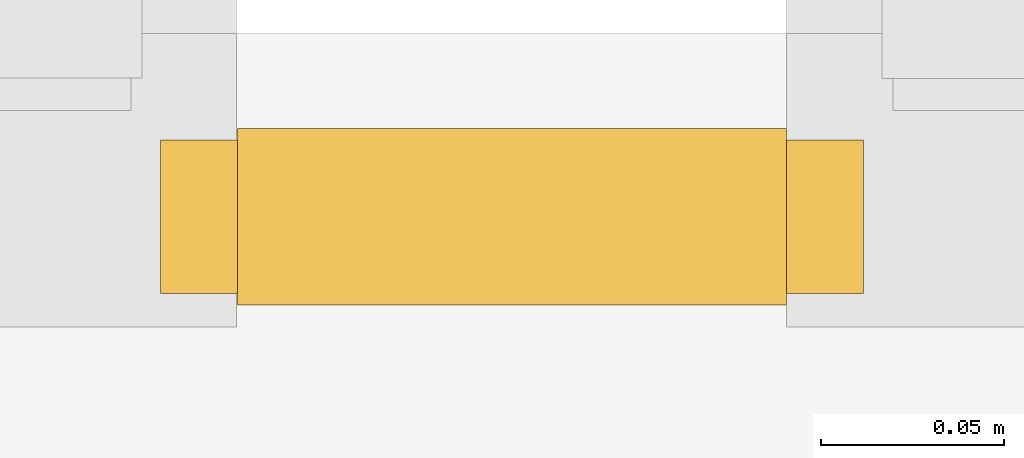
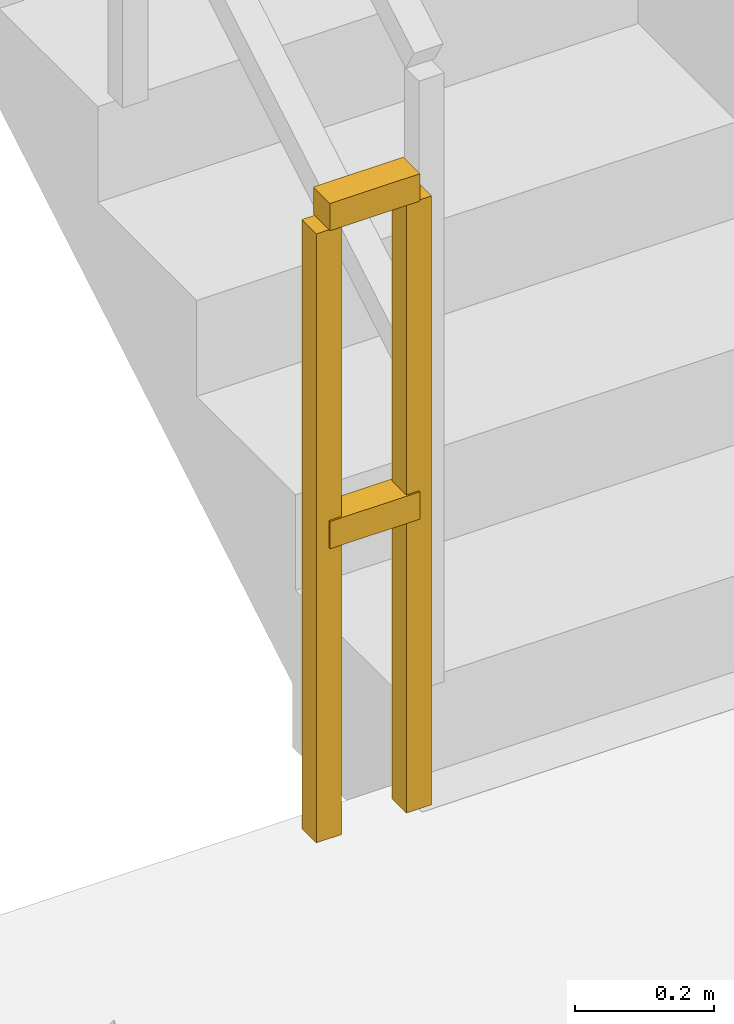
# One storey, part 20 of 23: 1 railing.
"""IFC4 building model written with IfcOpenShell, lengths in metres."""

from ifc_helpers import new_model, si_unit, direction, frame, origin, origin_2d, place, context, subcontext, project, spatial, rectangle, extrude, material, type_object, element, save


model = new_model("IFC4")

# Units and contexts
model_context = context("Model", 3, precision=1e-05, world=origin(), true_north=direction((0.0, 1.0)))
body_context = subcontext(model_context, "Body", "Model", "MODEL_VIEW")
ifc_project = project(units=[si_unit("LENGTHUNIT", "METRE"), si_unit("AREAUNIT", "SQUARE_METRE"), si_unit("VOLUMEUNIT", "CUBIC_METRE"), si_unit("PLANEANGLEUNIT", "RADIAN"), si_unit("MASSUNIT", "GRAM", prefix="KILO")], contexts=[model_context])

# Site, building, storey
site_placement = place(None, origin())
site = spatial("IfcSite", under=ifc_project, at=site_placement, CompositionType="ELEMENT")
building_placement = place(site_placement, origin())
building = spatial("IfcBuilding", under=site, at=building_placement, Name="Apsidion Concourse Tower", CompositionType="ELEMENT")
storey_placement = place(building_placement, frame((0.0, 0.0, 29.0)))
storey = spatial("IfcBuildingStorey", under=building, at=storey_placement, Name="L05", CompositionType="ELEMENT", Elevation=29.0)

# Railing
ifc_material = material(Name="Brushed stainless steel 316", Category="steel")
railing_type = type_object("IfcRailingType", Name="RL-GUARD-1100", PredefinedType="GUARDRAIL", material=ifc_material)
railing_placement = place(storey_placement, frame((-5.5, 2.949951171875, 0.0)))
element("IfcRailing", 1, at=railing_placement, inside=storey, type_object=railing_type, Name="L05 ST1 stair guard 4", PredefinedType="GUARDRAIL", context=body_context, shape_type="SweptSolid", body=[
    extrude(rectangle(XDim=0.048095703125, YDim=0.048095703125, at=origin_2d()), frame((0.0, 0.0, 1.09619140625), z_axis=(-1.0, 0.0, 0.0), x_axis=(0.0, -1.0, 0.0)), (0.0, 0.0, 1.0), 0.14990234375),
    extrude(rectangle(XDim=0.048095703125, YDim=0.048095703125, at=origin_2d()), frame((0.0, 0.0, 0.5361328125), z_axis=(-1.0, 0.0, 0.0), x_axis=(0.0, -1.0, 0.0)), (0.0, 0.0, 1.0), 0.14990234375),
    extrude(rectangle(XDim=0.0419921875, YDim=0.0419921875, at=origin_2d()), origin(), (0.0, 0.0, 1.0), 1.072021484375),
    extrude(rectangle(XDim=0.0419921875, YDim=0.0419921875, at=origin_2d()), frame((-0.14990234375, 0.0, 0.0)), (0.0, 0.0, 1.0), 1.072021484375),
])

save(model, "model.ifc")
